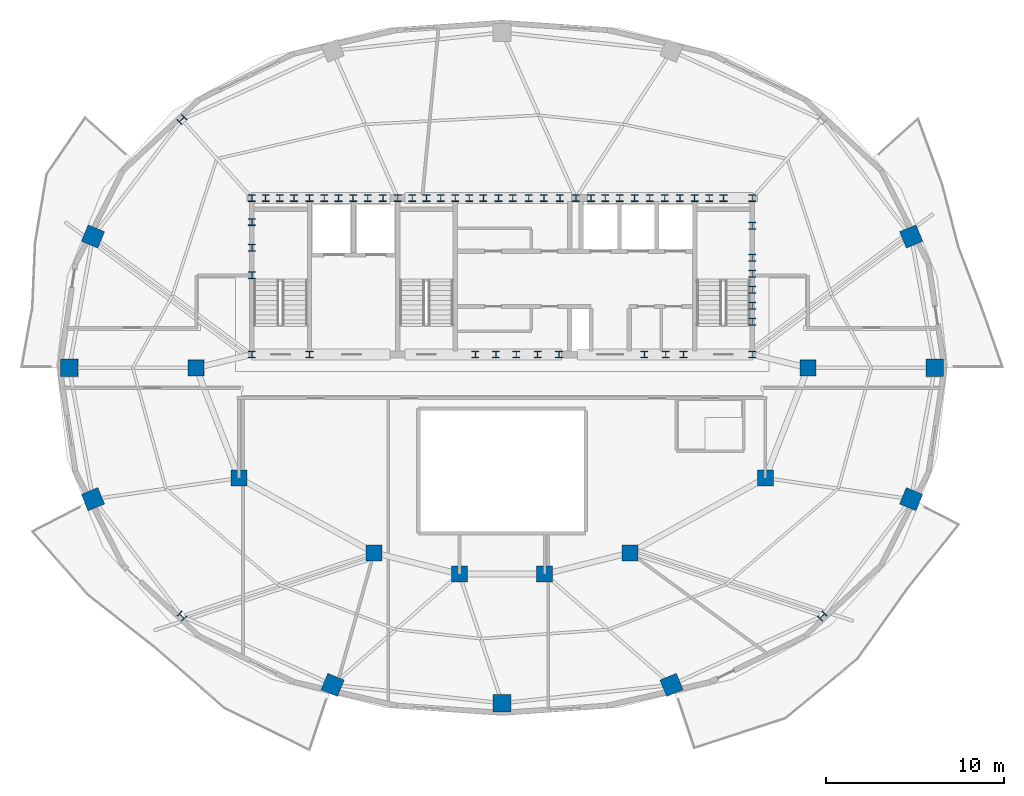
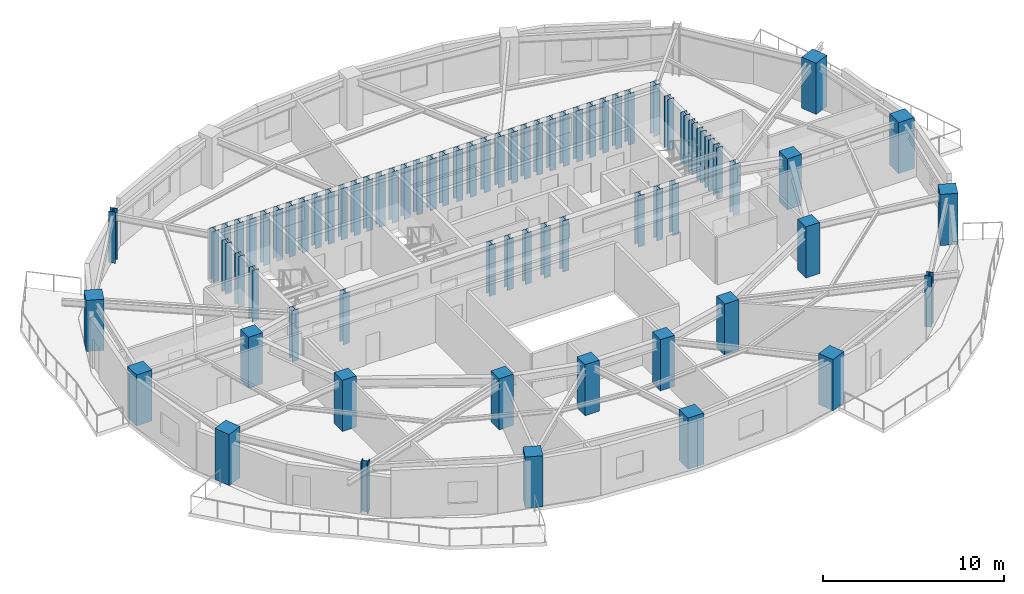
# One storey, part 1 of 10: 74 columns.
"""IFC4 building model written with IfcOpenShell, lengths in metres."""

import ifcopenshell
import ifcopenshell.guid

model = None  # the IFC model being written
_history = None  # IfcOwnerHistory: only IFC2X3 demands one
_inside = {}  # id of a spatial element -> (the spatial element, [elements in it])
_under = {}  # id of a project, library or spatial element -> (it, [spatial elements below it])
_declared = {}  # id of a project -> (the project, [libraries it declares])
_typed = {}  # id of a type object -> (the type object, [elements of that type])
_made_of = {}  # id of a material, layer set ... -> (it, [elements and type objects made of it])


def new_model(schema):
    """Start an empty IFC model of exactly this schema.

    Asked for "IFC4X3", IfcOpenShell would pick the latest addendum, in which some entities
    have other attributes; the version numbers below select the first issue.
    IFC2X3 requires an IfcOwnerHistory on every rooted entity: one is made here for all.
    """
    global model, _history
    if schema == "IFC4X3":
        model = ifcopenshell.file(schema_version=(4, 3, 0, 0))
    else:
        model = ifcopenshell.file(schema=schema)
    _inside.clear()
    _under.clear()
    _declared.clear()
    _typed.clear()
    _made_of.clear()
    _history = None
    if model.schema == "IFC2X3":
        org = make("IfcOrganization", Name="unknown")
        user = make(
            "IfcPersonAndOrganization",
            ThePerson=make("IfcPerson", FamilyName="unknown"),
            TheOrganization=org,
        )
        app = make(
            "IfcApplication",
            ApplicationDeveloper=org,
            Version="unknown",
            ApplicationFullName="unknown",
            ApplicationIdentifier="unknown",
        )
        _history = make(
            "IfcOwnerHistory",
            OwningUser=user,
            OwningApplication=app,
            ChangeAction="ADDED",
            CreationDate=0,
        )
    return model


def make(cls, **values):
    """One entity of the class cls with the attributes given. An attribute that is None is left unset."""
    return model.create_entity(
        cls, **{name: value for name, value in values.items() if value is not None}
    )


def rooted(cls, **values):
    """An entity with a GlobalId (a new one), such as an element, a storey or a relation."""
    return make(cls, GlobalId=ifcopenshell.guid.new(), OwnerHistory=_history, **values)


def si_unit(unit_type, name, prefix=None):
    """IfcSIUnit, for example si_unit("LENGTHUNIT", "METRE", prefix="MILLI")."""
    return make("IfcSIUnit", UnitType=unit_type, Prefix=prefix, Name=name)


def assignment(units):
    """IfcUnitAssignment: the units of a project."""
    return None if units is None else make("IfcUnitAssignment", Units=units)


def point(xyz):
    """IfcCartesianPoint."""
    return None if xyz is None else make("IfcCartesianPoint", Coordinates=xyz)


def direction(xyz):
    """IfcDirection."""
    return None if xyz is None else make("IfcDirection", DirectionRatios=xyz)


def frame(location, z_axis=None, x_axis=None):
    """IfcAxis2Placement3D, a coordinate frame: its origin and axes. An axis left out is left unset."""
    return make(
        "IfcAxis2Placement3D",
        Location=point(location),
        Axis=direction(z_axis),
        RefDirection=direction(x_axis),
    )


def frame_2d(location, x_axis=None):
    """IfcAxis2Placement2D, a coordinate frame in the plane: its origin and x axis."""
    return make(
        "IfcAxis2Placement2D", Location=point(location), RefDirection=direction(x_axis)
    )


def origin():
    """The frame at (0, 0, 0) with its axes left unset."""
    return frame((0.0, 0.0, 0.0))


def origin_2d():
    """The frame at (0, 0) in the plane with its x axis left unset."""
    return frame_2d((0.0, 0.0))


def place(relative_to, where):
    """IfcLocalPlacement: puts the frame where relative to a parent placement (None: the world)."""
    return make(
        "IfcLocalPlacement", PlacementRelTo=relative_to, RelativePlacement=where
    )


def context(
    kind, dimensions, precision=None, world=None, true_north=None, identifier=None
):
    """IfcGeometricRepresentationContext, for example the 3D "Model" context."""
    return make(
        "IfcGeometricRepresentationContext",
        ContextIdentifier=identifier,
        ContextType=kind,
        CoordinateSpaceDimension=dimensions,
        Precision=precision,
        WorldCoordinateSystem=world,
        TrueNorth=true_north,
    )


def subcontext(parent, identifier, kind, view, scale=None):
    """IfcGeometricRepresentationSubContext, for example "Body" below "Model"."""
    return make(
        "IfcGeometricRepresentationSubContext",
        ContextIdentifier=identifier,
        ContextType=kind,
        ParentContext=parent,
        TargetScale=scale,
        TargetView=view,
    )


def project(units=None, contexts=None):
    """IfcProject with its units and contexts."""
    return rooted(
        "IfcProject",
        Name="project",
        RepresentationContexts=contexts,
        UnitsInContext=assignment(units),
    )


def spatial(cls, under=None, at=None, **own):
    """A site, building, storey or space (cls), placed at a placement, below another one or the project."""
    s = rooted(cls, ObjectPlacement=at, **own)
    if under is not None:
        _under.setdefault(under.id(), (under, []))[1].append(s)
    return s


def profile(cls, at=None, kind="AREA", **sizes):
    """A parametric profile (cls). Its sizes go by their IFC names, for example OverallWidth=200.0."""
    return make(cls, ProfileType=kind, Position=at, **sizes)


def rectangle(**sizes):
    """IfcRectangleProfileDef."""
    return profile("IfcRectangleProfileDef", **sizes)


def i_section(**sizes):
    """IfcIShapeProfileDef."""
    return profile("IfcIShapeProfileDef", **sizes)


def extrude(swept, where, along, depth):
    """IfcExtrudedAreaSolid: the profile swept, set in the frame where, extruded along a direction by depth."""
    return make(
        "IfcExtrudedAreaSolid",
        SweptArea=swept,
        Position=where,
        ExtrudedDirection=direction(along),
        Depth=depth,
    )


def shape(context_of_items, identifier, shape_type, items):
    """IfcShapeRepresentation: the items that make up one representation, for example the "Body"."""
    return make(
        "IfcShapeRepresentation",
        ContextOfItems=context_of_items,
        RepresentationIdentifier=identifier,
        RepresentationType=shape_type,
        Items=items,
    )


def material(Name=None, Category=None):
    """IfcMaterial."""
    return make("IfcMaterial", Name=Name, Category=Category)


def material_profile(
    of_material, cross_section, Name=None, Category=None, Priority=None
):
    """IfcMaterialProfile: a cross section and its material."""
    return make(
        "IfcMaterialProfile",
        Name=Name,
        Material=of_material,
        Profile=cross_section,
        Priority=Priority,
        Category=Category,
    )


def profile_set(profiles, Name=None, composite=None):
    """IfcMaterialProfileSet."""
    return make(
        "IfcMaterialProfileSet",
        Name=Name,
        MaterialProfiles=profiles,
        CompositeProfile=composite,
    )


def made_of(thing, what):
    """Note that an element or type object is made of a material, layer set ...; save() writes the relation."""
    if what is not None:
        _made_of.setdefault(what.id(), (what, []))[1].append(thing)
    return thing


def type_object(cls, material=None, **own):
    """A type object (cls), such as IfcWallType, which elements share."""
    return made_of(rooted(cls, **own), material)


def element(
    cls,
    number,
    at=None,
    inside=None,
    cuts=None,
    type_object=None,
    material=None,
    context=None,
    identifier="Body",
    shape_type=None,
    held_by="IfcProductDefinitionShape",
    body=None,
    shapes=None,
    **own,
):
    """One element of the class cls, such as IfcWall. Its Tag is "e" and its number.

    at: its placement. inside: the storey or other place that contains it. cuts: it is an
    opening in that element (IfcRelVoidsElement). A single representation is given by context,
    identifier, shape_type and body (its items); several are given by shapes. held_by: the class
    of the entity that holds the representations. save() writes the other relations.
    """
    e = rooted(cls, Tag="e%d" % number, ObjectPlacement=at, **own)
    if body is not None:
        shapes = [shape(context, identifier, shape_type, body)]
    if shapes is not None:
        e.Representation = make(held_by, Representations=shapes)
    if inside is not None:
        _inside.setdefault(inside.id(), (inside, []))[1].append(e)
    if cuts is not None:
        rooted(
            "IfcRelVoidsElement", RelatingBuildingElement=cuts, RelatedOpeningElement=e
        )
    if type_object is not None:
        _typed.setdefault(type_object.id(), (type_object, []))[1].append(e)
    return made_of(e, material)


def aggregate(whole, parts):
    """IfcRelAggregates: a whole, such as a stair, and the parts it consists of."""
    return rooted("IfcRelAggregates", RelatingObject=whole, RelatedObjects=parts)


def save(model, path):
    """Write the relations noted so far, then the file.

    IfcRelAggregates (storeys below a building ...), IfcRelContainedInSpatialStructure (elements
    in a storey), IfcRelDefinesByType, IfcRelAssociatesMaterial and IfcRelDeclares: one each for
    every whole, place, type object, material and project.
    """
    for whole, parts in _under.values():
        aggregate(whole, parts)
    for where, things in _inside.values():
        rooted(
            "IfcRelContainedInSpatialStructure",
            RelatedElements=things,
            RelatingStructure=where,
        )
    for kind, things in _typed.values():
        rooted("IfcRelDefinesByType", RelatedObjects=things, RelatingType=kind)
    for what, things in _made_of.values():
        rooted("IfcRelAssociatesMaterial", RelatedObjects=things, RelatingMaterial=what)
    for by, libraries in _declared.values():
        rooted("IfcRelDeclares", RelatingContext=by, RelatedDefinitions=libraries)
    model.write(path)


model = new_model("IFC4")

# Units and contexts
model_context = context("Model", 3, precision=1e-05, world=origin(), true_north=direction((0.0, 1.0)))
body_context = subcontext(model_context, "Body", "Model", "MODEL_VIEW")
ifc_project = project(units=[si_unit("LENGTHUNIT", "METRE"), si_unit("AREAUNIT", "SQUARE_METRE"), si_unit("VOLUMEUNIT", "CUBIC_METRE"), si_unit("PLANEANGLEUNIT", "RADIAN"), si_unit("MASSUNIT", "GRAM", prefix="KILO")], contexts=[model_context])

# Site, building, storey
site_placement = place(None, origin())
site = spatial("IfcSite", under=ifc_project, at=site_placement, CompositionType="ELEMENT")
building_placement = place(site_placement, origin())
building = spatial("IfcBuilding", under=site, at=building_placement, Name="Haldorwick Loom Tower", CompositionType="ELEMENT")
storey_placement = place(building_placement, frame((0.0, 0.0, 266.10009765625)))
storey = spatial("IfcBuildingStorey", under=building, at=storey_placement, Name="L72", CompositionType="ELEMENT", Elevation=266.10009765625)

# Columns
ifc_material_1 = material(Name="Concrete C60 (60 MPa)", Category="concrete")
ifc_material_profile_1 = material_profile(ifc_material_1, rectangle(XDim=1.0, YDim=1.0, at=origin_2d()), Name="RC1000X1000", Category="concrete")
ifc_profile_set_1 = profile_set([ifc_material_profile_1], Name="Concrete C60 (60 MPa)")
column_type_1 = type_object("IfcColumnType", Name="STR-COL-RC1000", PredefinedType="COLUMN", material=ifc_profile_set_1)
for number, where, z_axis, x_axis, name in (
    (1, (60.3369140625, 26.0, 0.0), (0.0, 0.0, 1.0), (1.0, 0.0, 0.0), "L72 Perimeter Pier Column P01"),
    (2, (59.004638671875, 33.3857421875, 0.0), (0.0, 0.0, 1.0), (0.923879532511, 0.382683432365, 0.0), "L72 Perimeter Pier Column P02"),
    (3, (12.995361328125, 33.3857421875, 0.0), (0.0, 0.0, 1.0), (-0.923879532511, 0.382683432365, 0.0), "L72 Perimeter Pier Column P08"),
    (4, (11.6630859375, 26.0, 0.0), (0.0, 0.0, 1.0), (-1.0, 0.0, 0.0), "L72 Perimeter Pier Column P09"),
    (5, (12.995361328125, 18.6142578125, 0.0), (0.0, 0.0, 1.0), (-0.923879532511, -0.382683432365, 0.0), "L72 Perimeter Pier Column P10"),
    (6, (26.47119140625, 8.169189453125, 0.0), (0.0, 0.0, 1.0), (-0.382683432365, -0.923879532511, 0.0), "L72 Perimeter Pier Column P12"),
    (7, (36.0, 7.139892578125, 0.0), (0.0, 0.0, 1.0), (0.0, -1.0, 0.0), "L72 Perimeter Pier Column P13"),
    (8, (45.52880859375, 8.169189453125, 0.0), (0.0, 0.0, 1.0), (0.382683432365, -0.923879532511, 0.0), "L72 Perimeter Pier Column P14"),
    (9, (59.004638671875, 18.6142578125, 0.0), (0.0, 0.0, 1.0), (0.923879532511, -0.382683432365, 0.0), "L72 Perimeter Pier Column P16"),
):
    element("IfcColumn", number, at=place(storey_placement, frame(where, z_axis=z_axis, x_axis=x_axis)), inside=storey, type_object=column_type_1, Name=name, PredefinedType="COLUMN", context=body_context, shape_type="SweptSolid", body=[
        extrude(rectangle(XDim=1.0, YDim=1.0, at=origin_2d()), origin(), (0.0, 0.0, 1.0), 3.449951171875),
    ])
ifc_material_2 = material(Name="Concrete C50 (50 MPa)", Category="concrete")
ifc_material_profile_2 = material_profile(ifc_material_2, rectangle(XDim=0.89990234375, YDim=0.89990234375, at=origin_2d()), Name="RC900X900", Category="concrete")
ifc_profile_set_2 = profile_set([ifc_material_profile_2], Name="Concrete C50 (50 MPa)")
column_type_2 = type_object("IfcColumnType", Name="STR-COL-RC900", PredefinedType="COLUMN", material=ifc_profile_set_2)
for number, where, z_axis, x_axis, name in (
    (10, (53.199951171875, 26.0, 0.0), (0.0, 0.0, 1.0), (1.0, 0.0, 0.0), "L72 Inner Column IC-01"),
    (11, (50.800048828125, 19.800048828125, 0.0), (0.0, 0.0, 1.0), (1.0, 0.0, 0.0), "L72 Inner Column IC-02"),
    (12, (43.199951171875, 15.60009765625, 0.0), (0.0, 0.0, 1.0), (1.0, 0.0, 0.0), "L72 Inner Column IC-03"),
    (13, (38.39990234375, 14.39990234375, 0.0), (0.0, 0.0, 1.0), (1.0, 0.0, 0.0), "L72 Inner Column IC-04"),
    (14, (33.60009765625, 14.39990234375, 0.0), (0.0, 0.0, 1.0), (1.0, 0.0, 0.0), "L72 Inner Column IC-05"),
    (15, (28.800048828125, 15.60009765625, 0.0), (0.0, 0.0, 1.0), (1.0, 0.0, 0.0), "L72 Inner Column IC-06"),
    (16, (21.199951171875, 19.800048828125, 0.0), (0.0, 0.0, 1.0), (1.0, 0.0, 0.0), "L72 Inner Column IC-07"),
    (17, (18.800048828125, 26.0, 0.0), (0.0, 0.0, 1.0), (1.0, 0.0, 0.0), "L72 Inner Column IC-08"),
):
    element("IfcColumn", number, at=place(storey_placement, frame(where, z_axis=z_axis, x_axis=x_axis)), inside=storey, type_object=column_type_2, Name=name, PredefinedType="COLUMN", context=body_context, shape_type="SweptSolid", body=[
        extrude(rectangle(XDim=0.89990234375, YDim=0.89990234375, at=origin_2d()), origin(), (0.0, 0.0, 1.0), 3.449951171875),
    ])
ifc_material_3 = material(Name="Steel CSA G40.21 350W", Category="steel")
ifc_material_profile_3 = material_profile(ifc_material_3, i_section(OverallWidth=0.39892578125, OverallDepth=0.39306640625, WebThickness=0.0185546875, FlangeThickness=0.029541015625, at=origin_2d()), Name="W360X287", Category="steel")
ifc_profile_set_3 = profile_set([ifc_material_profile_3], Name="Steel CSA G40.21 350W")
column_type_3 = type_object("IfcColumnType", Name="STR-COL-W360X287", PredefinedType="COLUMN", material=ifc_profile_set_3)
for number, where, z_axis, x_axis, name in (
    (18, (21.929931640625, 35.550048828125, 0.0), (0.0, 0.0, 1.0), (1.0, 0.0, 0.0), "L72 Core Pilaster CB-01"),
    (19, (23.5, 35.550048828125, 0.0), (0.0, 0.0, 1.0), (1.0, 0.0, 0.0), "L72 Core Pilaster CB-02"),
    (20, (25.169921875, 35.550048828125, 0.0), (0.0, 0.0, 1.0), (1.0, 0.0, 0.0), "L72 Core Pilaster CB-03"),
    (21, (26.800048828125, 35.550048828125, 0.0), (0.0, 0.0, 1.0), (1.0, 0.0, 0.0), "L72 Core Pilaster CB-04"),
    (22, (28.449951171875, 35.550048828125, 0.0), (0.0, 0.0, 1.0), (1.0, 0.0, 0.0), "L72 Core Pilaster CB-05"),
    (23, (30.1298828125, 35.550048828125, 0.0), (0.0, 0.0, 1.0), (1.0, 0.0, 0.0), "L72 Core Pilaster CB-06"),
    (24, (31.75, 35.550048828125, 0.0), (0.0, 0.0, 1.0), (1.0, 0.0, 0.0), "L72 Core Pilaster CB-07"),
    (25, (33.3701171875, 35.550048828125, 0.0), (0.0, 0.0, 1.0), (1.0, 0.0, 0.0), "L72 Core Pilaster CB-08"),
    (26, (34.949951171875, 35.550048828125, 0.0), (0.0, 0.0, 1.0), (1.0, 0.0, 0.0), "L72 Core Pilaster CB-09"),
    (27, (36.60009765625, 35.550048828125, 0.0), (0.0, 0.0, 1.0), (1.0, 0.0, 0.0), "L72 Core Pilaster CB-10"),
    (28, (38.35009765625, 35.550048828125, 0.0), (0.0, 0.0, 1.0), (1.0, 0.0, 0.0), "L72 Core Pilaster CB-11"),
    (29, (40.14990234375, 35.550048828125, 0.0), (0.0, 0.0, 1.0), (1.0, 0.0, 0.0), "L72 Core Pilaster CB-12"),
    (30, (41.800048828125, 35.550048828125, 0.0), (0.0, 0.0, 1.0), (1.0, 0.0, 0.0), "L72 Core Pilaster CB-13"),
    (31, (43.449951171875, 35.550048828125, 0.0), (0.0, 0.0, 1.0), (1.0, 0.0, 0.0), "L72 Core Pilaster CB-14"),
    (32, (45.14990234375, 35.550048828125, 0.0), (0.0, 0.0, 1.0), (1.0, 0.0, 0.0), "L72 Core Pilaster CB-15"),
    (33, (46.830078125, 35.550048828125, 0.0), (0.0, 0.0, 1.0), (1.0, 0.0, 0.0), "L72 Core Pilaster CB-16"),
    (34, (48.449951171875, 35.550048828125, 0.0), (0.0, 0.0, 1.0), (1.0, 0.0, 0.0), "L72 Core Pilaster CB-17"),
    (35, (50.070068359375, 35.550048828125, 0.0), (0.0, 0.0, 1.0), (1.0, 0.0, 0.0), "L72 Core Pilaster CB-18"),
    (36, (21.929931640625, 26.75, 0.0), (0.0, 0.0, 1.0), (1.0, 0.0, 0.0), "L72 Core Pilaster CB-19"),
    (37, (25.169921875, 26.75, 0.0), (0.0, 0.0, 1.0), (1.0, 0.0, 0.0), "L72 Core Pilaster CB-20"),
    (38, (34.5, 26.75, 0.0), (0.0, 0.0, 1.0), (1.0, 0.0, 0.0), "L72 Core Pilaster CB-21"),
    (39, (36.800048828125, 26.75, 0.0), (0.0, 0.0, 1.0), (1.0, 0.0, 0.0), "L72 Core Pilaster CB-22"),
    (40, (39.199951171875, 26.75, 0.0), (0.0, 0.0, 1.0), (1.0, 0.0, 0.0), "L72 Core Pilaster CB-23"),
    (41, (45.199951171875, 26.75, 0.0), (0.0, 0.0, 1.0), (1.0, 0.0, 0.0), "L72 Core Pilaster CB-24"),
    (42, (50.070068359375, 26.75, 0.0), (0.0, 0.0, 1.0), (1.0, 0.0, 0.0), "L72 Core Pilaster CB-25"),
    (43, (21.929931640625, 31.199951171875, 0.0), (0.0, 0.0, 1.0), (1.0, 0.0, 0.0), "L72 Core Pilaster CB-26"),
    (44, (21.929931640625, 32.75, 0.0), (0.0, 0.0, 1.0), (1.0, 0.0, 0.0), "L72 Core Pilaster CB-27"),
    (45, (21.929931640625, 34.199951171875, 0.0), (0.0, 0.0, 1.0), (1.0, 0.0, 0.0), "L72 Core Pilaster CB-28"),
    (46, (50.070068359375, 28.60009765625, 0.0), (0.0, 0.0, 1.0), (1.0, 0.0, 0.0), "L72 Core Pilaster CB-29"),
    (47, (50.070068359375, 30.39990234375, 0.0), (0.0, 0.0, 1.0), (1.0, 0.0, 0.0), "L72 Core Pilaster CB-30"),
    (48, (50.070068359375, 32.199951171875, 0.0), (0.0, 0.0, 1.0), (1.0, 0.0, 0.0), "L72 Core Pilaster CB-31"),
    (49, (50.070068359375, 34.0, 0.0), (0.0, 0.0, 1.0), (1.0, 0.0, 0.0), "L72 Core Pilaster CB-32"),
    (50, (22.699951171875, 35.550048828125, 0.0), (0.0, 0.0, 1.0), (1.0, 0.0, 0.0), "L72 Core Pilaster CB-33"),
    (51, (27.6201171875, 35.550048828125, 0.0), (0.0, 0.0, 1.0), (1.0, 0.0, 0.0), "L72 Core Pilaster CB-34"),
    (52, (32.550048828125, 35.550048828125, 0.0), (0.0, 0.0, 1.0), (1.0, 0.0, 0.0), "L72 Core Pilaster CB-35"),
    (53, (37.5, 35.550048828125, 0.0), (0.0, 0.0, 1.0), (1.0, 0.0, 0.0), "L72 Core Pilaster CB-36"),
    (54, (42.6201171875, 35.550048828125, 0.0), (0.0, 0.0, 1.0), (1.0, 0.0, 0.0), "L72 Core Pilaster CB-37"),
    (55, (47.64990234375, 35.550048828125, 0.0), (0.0, 0.0, 1.0), (1.0, 0.0, 0.0), "L72 Core Pilaster CB-38"),
    (56, (24.300048828125, 35.550048828125, 0.0), (0.0, 0.0, 1.0), (1.0, 0.0, 0.0), "L72 Core Pilaster CB-39"),
    (57, (26.0, 35.550048828125, 0.0), (0.0, 0.0, 1.0), (1.0, 0.0, 0.0), "L72 Core Pilaster CB-40"),
    (58, (29.300048828125, 35.550048828125, 0.0), (0.0, 0.0, 1.0), (1.0, 0.0, 0.0), "L72 Core Pilaster CB-41"),
    (59, (30.949951171875, 35.550048828125, 0.0), (0.0, 0.0, 1.0), (1.0, 0.0, 0.0), "L72 Core Pilaster CB-42"),
    (60, (34.14990234375, 35.550048828125, 0.0), (0.0, 0.0, 1.0), (1.0, 0.0, 0.0), "L72 Core Pilaster CB-43"),
    (61, (35.800048828125, 35.550048828125, 0.0), (0.0, 0.0, 1.0), (1.0, 0.0, 0.0), "L72 Core Pilaster CB-44"),
    (62, (39.25, 35.550048828125, 0.0), (0.0, 0.0, 1.0), (1.0, 0.0, 0.0), "L72 Core Pilaster CB-45"),
    (63, (41.0, 35.550048828125, 0.0), (0.0, 0.0, 1.0), (1.0, 0.0, 0.0), "L72 Core Pilaster CB-46"),
    (64, (44.300048828125, 35.550048828125, 0.0), (0.0, 0.0, 1.0), (1.0, 0.0, 0.0), "L72 Core Pilaster CB-47"),
    (65, (46.0, 35.550048828125, 0.0), (0.0, 0.0, 1.0), (1.0, 0.0, 0.0), "L72 Core Pilaster CB-48"),
    (66, (50.070068359375, 29.5, 0.0), (0.0, 0.0, 1.0), (1.0, 0.0, 0.0), "L72 Core Pilaster CB-49"),
    (67, (50.070068359375, 31.300048828125, 0.0), (0.0, 0.0, 1.0), (1.0, 0.0, 0.0), "L72 Core Pilaster CB-50"),
    (68, (35.64990234375, 26.75, 0.0), (0.0, 0.0, 1.0), (1.0, 0.0, 0.0), "L72 Core Pilaster CB-51"),
    (69, (38.0, 26.75, 0.0), (0.0, 0.0, 1.0), (1.0, 0.0, 0.0), "L72 Core Pilaster CB-52"),
    (70, (44.0, 26.75, 0.0), (0.0, 0.0, 1.0), (1.0, 0.0, 0.0), "L72 Core Pilaster CB-53"),
    (71, (46.199951171875, 26.75, 0.0), (0.0, 0.0, 1.0), (1.0, 0.0, 0.0), "L72 Core Pilaster CB-54"),
):
    element("IfcColumn", number, at=place(storey_placement, frame(where, z_axis=z_axis, x_axis=x_axis)), inside=storey, type_object=column_type_3, Name=name, PredefinedType="COLUMN", context=body_context, shape_type="SweptSolid", body=[
        extrude(i_section(OverallWidth=0.39892578125, OverallDepth=0.39306640625, WebThickness=0.0185546875, FlangeThickness=0.029541015625, at=origin_2d()), origin(), (0.0, 0.0, 1.0), 3.449951171875),
    ])
ifc_material_profile_4 = material_profile(ifc_material_3, i_section(OverallWidth=0.406005859375, OverallDepth=0.416015625, WebThickness=0.024169921875, FlangeThickness=0.03857421875, at=origin_2d()), Name="W360X382", Category="steel")
ifc_profile_set_4 = profile_set([ifc_material_profile_4], Name="Steel CSA G40.21 350W")
column_type_4 = type_object("IfcColumnType", Name="STR-COL-W360X382", PredefinedType="COLUMN", material=ifc_profile_set_4)
for number, where, z_axis, x_axis, name in (
    (72, (17.994873046875, 39.958251953125, 0.0), (0.0, 0.0, 1.0), (-0.707106781187, 0.707106781187, 0.0), "L72 Perimeter Pier Column P07"),
    (73, (17.994873046875, 12.041748046875, 0.0), (0.0, 0.0, 1.0), (-0.707106781187, -0.707106781187, 0.0), "L72 Perimeter Pier Column P11"),
    (74, (54.005126953125, 12.041748046875, 0.0), (0.0, 0.0, 1.0), (0.707106781187, -0.707106781187, 0.0), "L72 Perimeter Pier Column P15"),
):
    element("IfcColumn", number, at=place(storey_placement, frame(where, z_axis=z_axis, x_axis=x_axis)), inside=storey, type_object=column_type_4, Name=name, PredefinedType="COLUMN", context=body_context, shape_type="SweptSolid", body=[
        extrude(i_section(OverallWidth=0.406005859375, OverallDepth=0.416015625, WebThickness=0.024169921875, FlangeThickness=0.03857421875, at=origin_2d()), origin(), (0.0, 0.0, 1.0), 3.449951171875),
    ])

save(model, "model.ifc")
